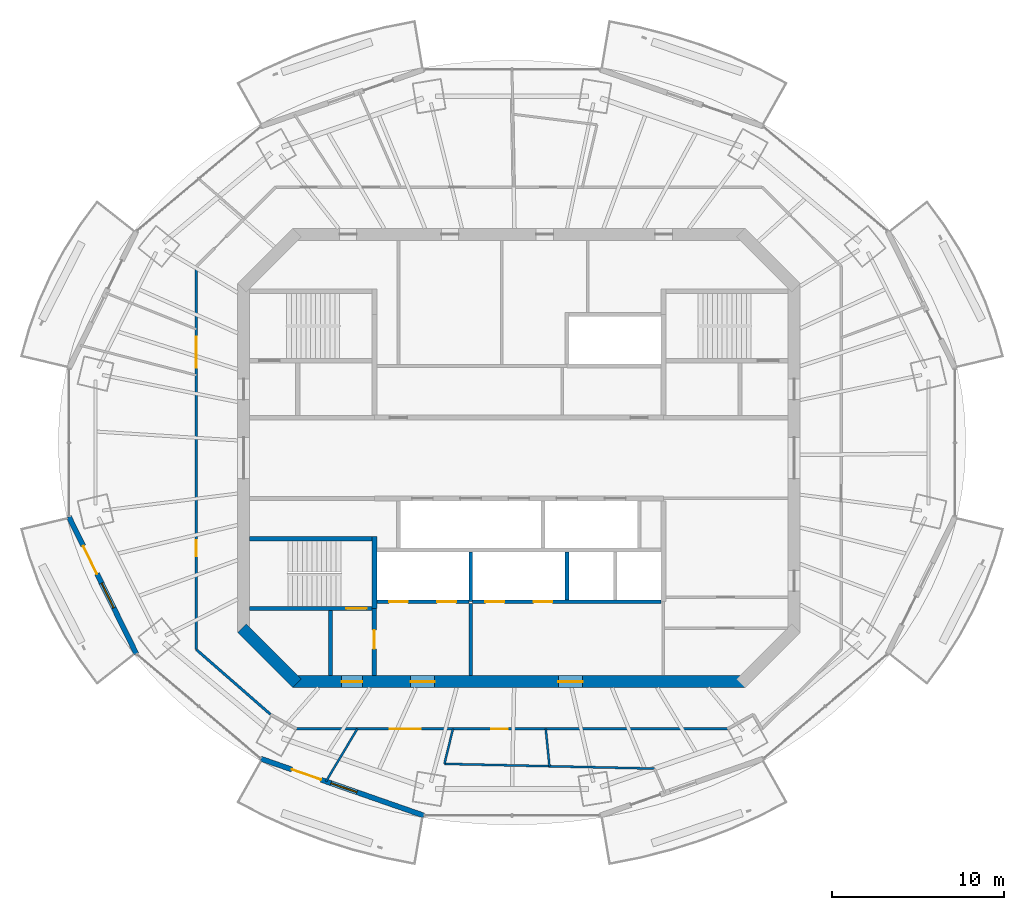
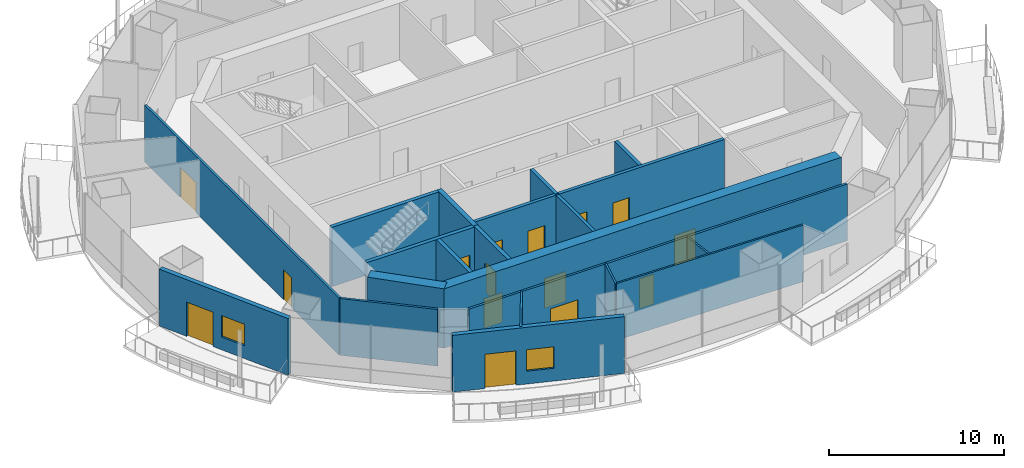
# One storey, part 8 of 16: 21 walls, 15 doors, 2 windows, 17 openings.
"""IFC4 building model written with IfcOpenShell, lengths in metres."""

from ifc_helpers import new_model, si_unit, direction, frame, frame_2d, origin, place, context, subcontext, project, spatial, rectangle, extrude, material, layer, layer_set, type_object, element, fill, save


model = new_model("IFC4")

# Units and contexts
model_context = context("Model", 3, precision=1e-05, world=origin(), true_north=direction((0.0, 1.0)))
body_context = subcontext(model_context, "Body", "Model", "MODEL_VIEW")
ifc_project = project(units=[si_unit("LENGTHUNIT", "METRE"), si_unit("AREAUNIT", "SQUARE_METRE"), si_unit("VOLUMEUNIT", "CUBIC_METRE"), si_unit("PLANEANGLEUNIT", "RADIAN"), si_unit("MASSUNIT", "GRAM", prefix="KILO")], contexts=[model_context])

# Site, building, storey
site_placement = place(None, origin())
site = spatial("IfcSite", under=ifc_project, at=site_placement, CompositionType="ELEMENT")
building_placement = place(site_placement, origin())
building = spatial("IfcBuilding", under=site, at=building_placement, Name="Marenthal Gate Tower", CompositionType="ELEMENT")
storey_placement = place(building_placement, frame((0.0, 0.0, 367.5)))
storey = spatial("IfcBuildingStorey", under=building, at=storey_placement, Name="L83", CompositionType="ELEMENT", Elevation=367.5)

# Wall
ifc_material_1 = material(Name="Concrete 60 MPa", Category="concrete")
ifc_layer_1 = layer(ifc_material_1, 0.699951171875)
ifc_layer_set_1 = layer_set([ifc_layer_1], Name="Core shear wall 700")
wall_type_1 = type_object("IfcWallType", Name="Core shear wall 700", PredefinedType="SHEAR", material=ifc_layer_set_1)
wall_1_placement = place(storey_placement, frame((-16.1025390625, -9.8974609375, -0.179931640625), z_axis=(0.0, 0.0, 1.0), x_axis=(0.707106781187, -0.707106781187, 0.0)))
element("IfcWall", 1, at=wall_1_placement, inside=storey, type_object=wall_type_1, Name="Core wall 07", PredefinedType="SHEAR", context=body_context, shape_type="SweptSolid", body=[
    extrude(rectangle(XDim=4.53271484375, YDim=0.699951171875, at=frame_2d((2.266357421875, 0.0))), origin(), (0.0, 0.0, 1.0), 4.14990234375),
])

# Wall, openings, doors
wall_2_placement = place(storey_placement, frame((-13.14501953125, -13.0, -0.179931640625), z_axis=(0.0, 0.0, 1.0), x_axis=(1.0, 0.0, 0.0)))
wall_2 = element("IfcWall", 2, at=wall_2_placement, inside=storey, type_object=wall_type_1, Name="Core wall 08", PredefinedType="SHEAR", context=body_context, shape_type="SweptSolid", body=[
    extrude(rectangle(XDim=26.2900390625, YDim=0.699951171875, at=frame_2d((13.14501953125, 0.0))), origin(), (0.0, 0.0, 1.0), 4.14990234375),
])
opening_1_placement = place(wall_2_placement, frame((2.844970703125, 0.0, 0.179931640625)))
opening_1 = element("IfcOpeningElement", 3, at=opening_1_placement, cuts=wall_2, Name="Opening D001.06", PredefinedType="OPENING", context=body_context, shape_type="SweptSolid", body=[
    extrude(rectangle(XDim=1.199951171875, YDim=2.10009765625, at=frame_2d((0.60009765625, 1.050048828125))), frame((0.0, 0.35986328125, 0.0), z_axis=(0.0, -1.0, 0.0), x_axis=(1.0, 0.0, 0.0)), (0.0, 0.0, 1.0), 0.719970703125),
])
opening_2_placement = place(wall_2_placement, frame((6.844970703125, 0.0, 0.179931640625)))
opening_2 = element("IfcOpeningElement", 4, at=opening_2_placement, cuts=wall_2, Name="Opening D004.01", PredefinedType="OPENING", context=body_context, shape_type="SweptSolid", body=[
    extrude(rectangle(XDim=1.39990234375, YDim=2.10009765625, at=frame_2d((0.699951171875, 1.050048828125))), frame((0.0, 0.35986328125, 0.0), z_axis=(0.0, -1.0, 0.0), x_axis=(1.0, 0.0, 0.0)), (0.0, 0.0, 1.0), 0.719970703125),
])
opening_3_placement = place(wall_2_placement, frame((15.445068359375, 0.0, 0.179931640625)))
opening_3 = element("IfcOpeningElement", 5, at=opening_3_placement, cuts=wall_2, Name="Opening D004.02", PredefinedType="OPENING", context=body_context, shape_type="SweptSolid", body=[
    extrude(rectangle(XDim=1.39990234375, YDim=2.10009765625, at=frame_2d((0.699951171875, 1.050048828125))), frame((0.0, 0.35986328125, 0.0), z_axis=(0.0, -1.0, 0.0), x_axis=(1.0, 0.0, 0.0)), (0.0, 0.0, 1.0), 0.719970703125),
])
ifc_material_2 = material(Name="Steel fire door", Category="steel")
door_type_1 = type_object("IfcDoorType", Name="Fire door FD 45 1400 x 2100", OperationType="NOTDEFINED", PredefinedType="DOOR", material=ifc_material_2)
door_1_placement = place(opening_2_placement, origin())
door_1 = element("IfcDoor", 6, at=door_1_placement, inside=storey, type_object=door_type_1, Name="Door D004.01", OperationType="SINGLE_SWING_RIGHT", OverallHeight=2.10009765625, OverallWidth=1.39990234375, PredefinedType="DOOR", context=body_context, shape_type="SweptSolid", body=[
    extrude(rectangle(XDim=1.39990234375, YDim=2.10009765625, at=frame_2d((0.699951171875, 1.050048828125))), frame((0.0, 0.02490234375, 0.0), z_axis=(0.0, -1.0, 0.0), x_axis=(1.0, 0.0, 0.0)), (0.0, 0.0, 1.0), 0.050048828125),
])
fill(opening_2, door_1)
door_2_placement = place(opening_3_placement, origin())
door_2 = element("IfcDoor", 7, at=door_2_placement, inside=storey, type_object=door_type_1, Name="Door D004.02", OperationType="SINGLE_SWING_RIGHT", OverallHeight=2.10009765625, OverallWidth=1.39990234375, PredefinedType="DOOR", context=body_context, shape_type="SweptSolid", body=[
    extrude(rectangle(XDim=1.39990234375, YDim=2.10009765625, at=frame_2d((0.699951171875, 1.050048828125))), frame((0.0, 0.02490234375, 0.0), z_axis=(0.0, -1.0, 0.0), x_axis=(1.0, 0.0, 0.0)), (0.0, 0.0, 1.0), 0.050048828125),
])
fill(opening_3, door_2)
ifc_material_3 = material(Name="Steel fire door", Category="steel")
door_type_2 = type_object("IfcDoorType", Name="Fire door FD 90 1200 x 2100", OperationType="NOTDEFINED", PredefinedType="DOOR", material=ifc_material_3)
door_3_placement = place(opening_1_placement, origin())
door_3 = element("IfcDoor", 8, at=door_3_placement, inside=storey, type_object=door_type_2, Name="Door D001.06", OperationType="SINGLE_SWING_RIGHT", OverallHeight=2.10009765625, OverallWidth=1.199951171875, PredefinedType="DOOR", context=body_context, shape_type="SweptSolid", body=[
    extrude(rectangle(XDim=1.199951171875, YDim=2.10009765625, at=frame_2d((0.60009765625, 1.050048828125))), frame((0.0, 0.02490234375, 0.0), z_axis=(0.0, -1.0, 0.0), x_axis=(1.0, 0.0, 0.0)), (0.0, 0.0, 1.0), 0.050048828125),
])
fill(opening_1, door_3)

# Walls
ifc_material_4 = material(Name="Gypsum board on steel studs", Category="steel")
ifc_layer_2 = layer(ifc_material_4, 0.199951171875)
ifc_layer_set_2 = layer_set([ifc_layer_2], Name="Fire lobby wall 200")
wall_type_2 = type_object("IfcWallType", Name="Fire lobby wall 200", PredefinedType="PARTITIONING", material=ifc_layer_set_2)
wall_3_placement = place(storey_placement, frame((-2.800048828125, -12.64990234375, 0.0), z_axis=(0.0, 0.0, 1.0), x_axis=(0.0, 1.0, 0.0)))
element("IfcWall", 9, at=wall_3_placement, inside=storey, type_object=wall_type_2, Name="Fire wall 37", PredefinedType="PARTITIONING", context=body_context, shape_type="SweptSolid", body=[
    extrude(rectangle(XDim=4.18994140625, YDim=0.199951171875, at=frame_2d((2.094970703125, 0.0))), origin(), (0.0, 0.0, 1.0), 3.969970703125),
])
ifc_material_5 = material(Name="Concrete 50 MPa", Category="concrete")
ifc_layer_3 = layer(ifc_material_5, 0.300048828125)
ifc_layer_set_3 = layer_set([ifc_layer_3], Name="Hoistway shear wall 300")
wall_type_3 = type_object("IfcWallType", Name="Hoistway shear wall 300", PredefinedType="SHEAR", material=ifc_layer_set_3)
wall_4_placement = place(storey_placement, frame((-8.39990234375, -8.75, -0.179931640625), z_axis=(0.0, 0.0, 1.0), x_axis=(0.0, 1.0, 0.0)))
element("IfcWall", 10, at=wall_4_placement, inside=storey, type_object=wall_type_3, Name="Hoistway wall 32", PredefinedType="SHEAR", context=body_context, shape_type="SweptSolid", body=[
    extrude(rectangle(XDim=4.175048828125, YDim=0.300048828125, at=frame_2d((2.08740234375, 0.0))), origin(), (0.0, 0.0, 1.0), 4.14990234375),
])

# Wall, openings, doors
ifc_material_6 = material(Name="Concrete 40 MPa", Category="concrete")
ifc_layer_4 = layer(ifc_material_6, 0.219970703125)
ifc_layer_set_4 = layer_set([ifc_layer_4], Name="Hoistway wall 220")
wall_type_4 = type_object("IfcWallType", Name="Hoistway wall 220", PredefinedType="STANDARD", material=ifc_layer_set_4)
wall_5_placement = place(storey_placement, frame((-8.25, -8.35009765625, 0.0), z_axis=(0.0, 0.0, 1.0), x_axis=(1.0, 0.0, 0.0)))
wall_5 = element("IfcWall", 11, at=wall_5_placement, inside=storey, type_object=wall_type_4, Name="Hoistway wall 11", PredefinedType="STANDARD", context=body_context, shape_type="SweptSolid", body=[
    extrude(rectangle(XDim=5.340087890625, YDim=0.219970703125, at=frame_2d((2.669921875, 0.0))), origin(), (0.0, 0.0, 1.0), 3.969970703125),
])
opening_4_placement = place(wall_5_placement, frame((0.699951171875, 0.0, 0.0)))
opening_4 = element("IfcOpeningElement", 12, at=opening_4_placement, cuts=wall_5, Name="Opening LD-LF1", PredefinedType="OPENING", context=body_context, shape_type="SweptSolid", body=[
    extrude(rectangle(XDim=1.10009765625, YDim=2.10009765625, at=frame_2d((0.550048828125, 1.050048828125))), frame((0.0, 0.1201171875, 0.0), z_axis=(0.0, -1.0, 0.0), x_axis=(1.0, 0.0, 0.0)), (0.0, 0.0, 1.0), 0.239990234375),
])
opening_5_placement = place(wall_5_placement, frame((3.5, 0.0, 0.0)))
opening_5 = element("IfcOpeningElement", 13, at=opening_5_placement, cuts=wall_5, Name="Opening LD-LF2", PredefinedType="OPENING", context=body_context, shape_type="SweptSolid", body=[
    extrude(rectangle(XDim=1.10009765625, YDim=2.10009765625, at=frame_2d((0.550048828125, 1.050048828125))), frame((0.0, 0.1201171875, 0.0), z_axis=(0.0, -1.0, 0.0), x_axis=(1.0, 0.0, 0.0)), (0.0, 0.0, 1.0), 0.239990234375),
])
ifc_material_7 = material(Name="Stainless steel sliding door", Category="steel")
door_type_3 = type_object("IfcDoorType", Name="Lift landing door FD 90 1100 x 2100", OperationType="DOUBLE_DOOR_SLIDING", PredefinedType="DOOR", material=ifc_material_7)
door_4_placement = place(opening_4_placement, origin())
door_4 = element("IfcDoor", 14, at=door_4_placement, inside=storey, type_object=door_type_3, Name="Lift landing door LF1", OperationType="DOUBLE_DOOR_SLIDING", OverallHeight=2.10009765625, OverallWidth=1.10009765625, PredefinedType="DOOR", context=body_context, shape_type="SweptSolid", body=[
    extrude(rectangle(XDim=1.10009765625, YDim=2.10009765625, at=frame_2d((0.550048828125, 1.050048828125))), frame((0.0, 0.02490234375, 0.0), z_axis=(0.0, -1.0, 0.0), x_axis=(1.0, 0.0, 0.0)), (0.0, 0.0, 1.0), 0.050048828125),
])
fill(opening_4, door_4)
door_5_placement = place(opening_5_placement, origin())
door_5 = element("IfcDoor", 15, at=door_5_placement, inside=storey, type_object=door_type_3, Name="Lift landing door LF2", OperationType="DOUBLE_DOOR_SLIDING", OverallHeight=2.10009765625, OverallWidth=1.10009765625, PredefinedType="DOOR", context=body_context, shape_type="SweptSolid", body=[
    extrude(rectangle(XDim=1.10009765625, YDim=2.10009765625, at=frame_2d((0.550048828125, 1.050048828125))), frame((0.0, 0.02490234375, 0.0), z_axis=(0.0, -1.0, 0.0), x_axis=(1.0, 0.0, 0.0)), (0.0, 0.0, 1.0), 0.050048828125),
])
fill(opening_5, door_5)

wall_6_placement = place(storey_placement, frame((-2.68994140625, -8.35009765625, 0.0), z_axis=(0.0, 0.0, 1.0), x_axis=(1.0, 0.0, 0.0)))
wall_6 = element("IfcWall", 16, at=wall_6_placement, inside=storey, type_object=wall_type_4, Name="Hoistway wall 12", PredefinedType="STANDARD", context=body_context, shape_type="SweptSolid", body=[
    extrude(rectangle(XDim=10.93994140625, YDim=0.219970703125, at=frame_2d((5.469970703125, 0.0))), origin(), (0.0, 0.0, 1.0), 3.969970703125),
])
opening_6_placement = place(wall_6_placement, frame((0.739990234375, 0.0, 0.0)))
opening_6 = element("IfcOpeningElement", 17, at=opening_6_placement, cuts=wall_6, Name="Opening LD-SV1", PredefinedType="OPENING", context=body_context, shape_type="SweptSolid", body=[
    extrude(rectangle(XDim=1.10009765625, YDim=2.10009765625, at=frame_2d((0.550048828125, 1.050048828125))), frame((0.0, 0.1201171875, 0.0), z_axis=(0.0, -1.0, 0.0), x_axis=(1.0, 0.0, 0.0)), (0.0, 0.0, 1.0), 0.239990234375),
])
opening_7_placement = place(wall_6_placement, frame((3.5400390625, 0.0, 0.0)))
opening_7 = element("IfcOpeningElement", 18, at=opening_7_placement, cuts=wall_6, Name="Opening LD-SV2", PredefinedType="OPENING", context=body_context, shape_type="SweptSolid", body=[
    extrude(rectangle(XDim=1.10009765625, YDim=2.10009765625, at=frame_2d((0.550048828125, 1.050048828125))), frame((0.0, 0.1201171875, 0.0), z_axis=(0.0, -1.0, 0.0), x_axis=(1.0, 0.0, 0.0)), (0.0, 0.0, 1.0), 0.239990234375),
])
door_6_placement = place(opening_6_placement, origin())
door_6 = element("IfcDoor", 19, at=door_6_placement, inside=storey, type_object=door_type_3, Name="Lift landing door SV1", OperationType="DOUBLE_DOOR_SLIDING", OverallHeight=2.10009765625, OverallWidth=1.10009765625, PredefinedType="DOOR", context=body_context, shape_type="SweptSolid", body=[
    extrude(rectangle(XDim=1.10009765625, YDim=2.10009765625, at=frame_2d((0.550048828125, 1.050048828125))), frame((0.0, 0.02490234375, 0.0), z_axis=(0.0, -1.0, 0.0), x_axis=(1.0, 0.0, 0.0)), (0.0, 0.0, 1.0), 0.050048828125),
])
fill(opening_6, door_6)
door_7_placement = place(opening_7_placement, origin())
door_7 = element("IfcDoor", 20, at=door_7_placement, inside=storey, type_object=door_type_3, Name="Lift landing door SV2", OperationType="DOUBLE_DOOR_SLIDING", OverallHeight=2.10009765625, OverallWidth=1.10009765625, PredefinedType="DOOR", context=body_context, shape_type="SweptSolid", body=[
    extrude(rectangle(XDim=1.10009765625, YDim=2.10009765625, at=frame_2d((0.550048828125, 1.050048828125))), frame((0.0, 0.02490234375, 0.0), z_axis=(0.0, -1.0, 0.0), x_axis=(1.0, 0.0, 0.0)), (0.0, 0.0, 1.0), 0.050048828125),
])
fill(opening_7, door_7)

# Walls
wall_7_placement = place(storey_placement, frame((-2.800048828125, -8.35009765625, 0.0), z_axis=(0.0, 0.0, 1.0), x_axis=(0.0, 1.0, 0.0)))
element("IfcWall", 21, at=wall_7_placement, inside=storey, type_object=wall_type_4, Name="Hoistway wall 38", PredefinedType="STANDARD", context=body_context, shape_type="SweptSolid", body=[
    extrude(rectangle(XDim=2.89013671875, YDim=0.219970703125, at=frame_2d((1.445068359375, 0.0))), origin(), (0.0, 0.0, 1.0), 3.969970703125),
])
wall_8_placement = place(storey_placement, frame((2.800048828125, -8.239990234375, 0.0), z_axis=(0.0, 0.0, 1.0), x_axis=(0.0, 1.0, 0.0)))
element("IfcWall", 22, at=wall_8_placement, inside=storey, type_object=wall_type_4, Name="Hoistway wall 42", PredefinedType="STANDARD", context=body_context, shape_type="SweptSolid", body=[
    extrude(rectangle(XDim=2.780029296875, YDim=0.219970703125, at=frame_2d((1.39013671875, 0.0))), origin(), (0.0, 0.0, 1.0), 3.969970703125),
])
ifc_material_8 = material(Name="Gypsum board on steel studs", Category="steel")
ifc_layer_5 = layer(ifc_material_8, 0.1201171875)
ifc_layer_set_5 = layer_set([ifc_layer_5], Name="Partition 120")
wall_type_5 = type_object("IfcWallType", Name="Partition 120", PredefinedType="PARTITIONING", material=ifc_layer_set_5)
wall_9_placement = place(storey_placement, frame((-9.39501953125, -15.75, 0.0), z_axis=(0.0, 0.0, 1.0), x_axis=(-0.512250738002, -0.858835945578, 0.0)))
element("IfcWall", 23, at=wall_9_placement, inside=storey, type_object=wall_type_5, Name="Partition wall 61", PredefinedType="PARTITIONING", context=body_context, shape_type="SweptSolid", body=[
    extrude(rectangle(XDim=3.552978515625, YDim=0.1201171875, at=frame_2d((1.7763671875, 0.0))), origin(), (0.0, 0.0, 1.0), 3.969970703125),
])
wall_10_placement = place(storey_placement, frame((-4.32861328125, -17.78125, 0.0), z_axis=(0.0, 0.0, 1.0), x_axis=(0.999747193502, -0.02248441871, 0.0)))
element("IfcWall", 24, at=wall_10_placement, inside=storey, type_object=wall_type_5, Name="Partition wall 63", PredefinedType="PARTITIONING", context=body_context, shape_type="SweptSolid", body=[
    extrude(rectangle(XDim=12.215576171875, YDim=0.1201171875, at=frame_2d((6.10791015625, 0.0))), origin(), (0.0, 0.0, 1.0), 3.969970703125),
])
wall_11_placement = place(storey_placement, frame((-4.32861328125, -17.78125, 0.0), z_axis=(0.0, 0.0, 1.0), x_axis=(0.236595923388, 0.971608135534, 0.0)))
element("IfcWall", 25, at=wall_11_placement, inside=storey, type_object=wall_type_5, Name="Partition wall 64", PredefinedType="PARTITIONING", context=body_context, shape_type="SweptSolid", body=[
    extrude(rectangle(XDim=2.090576171875, YDim=0.1201171875, at=frame_2d((1.04541015625, 0.0))), origin(), (0.0, 0.0, 1.0), 3.969970703125),
])
wall_12_placement = place(storey_placement, frame((1.777587890625, -17.918701171875, 0.0), z_axis=(0.0, 0.0, 1.0), x_axis=(-0.098694000634, 0.995117829324, 0.0)))
element("IfcWall", 26, at=wall_12_placement, inside=storey, type_object=wall_type_5, Name="Partition wall 66", PredefinedType="PARTITIONING", context=body_context, shape_type="SweptSolid", body=[
    extrude(rectangle(XDim=2.179443359375, YDim=0.1201171875, at=frame_2d((1.08984375, 0.0))), origin(), (0.0, 0.0, 1.0), 3.969970703125),
])

# Wall, openings, doors
ifc_material_9 = material(Name="Gypsum board on steel studs", Category="steel")
ifc_layer_6 = layer(ifc_material_9, 0.14990234375)
ifc_layer_set_6 = layer_set([ifc_layer_6], Name="Partition 150")
wall_type_6 = type_object("IfcWallType", Name="Partition 150", PredefinedType="PARTITIONING", material=ifc_layer_set_6)
wall_13_placement = place(storey_placement, frame((-18.75, -11.13916015625, 0.0), z_axis=(0.0, 0.0, 1.0), x_axis=(0.0, 1.0, 0.0)))
wall_13 = element("IfcWall", 27, at=wall_13_placement, inside=storey, type_object=wall_type_6, Name="Partition wall 52", PredefinedType="PARTITIONING", context=body_context, shape_type="SweptSolid", body=[
    extrude(rectangle(XDim=22.2783203125, YDim=0.14990234375, at=frame_2d((11.13916015625, 0.0))), origin(), (0.0, 0.0, 1.0), 3.969970703125),
])
opening_8_placement = place(wall_13_placement, frame((16.39501953125, 0.0, 0.0)))
opening_8 = element("IfcOpeningElement", 28, at=opening_8_placement, cuts=wall_13, Name="Opening D014.02", PredefinedType="OPENING", context=body_context, shape_type="SweptSolid", body=[
    extrude(rectangle(XDim=1.800048828125, YDim=2.10009765625, at=frame_2d((0.89990234375, 1.050048828125))), frame((0.0, 0.0849609375, 0.0), z_axis=(0.0, -1.0, 0.0), x_axis=(1.0, 0.0, 0.0)), (0.0, 0.0, 1.0), 0.169921875),
])
opening_9_placement = place(wall_13_placement, frame((5.4169921875, 0.0, 0.0)))
opening_9 = element("IfcOpeningElement", 29, at=opening_9_placement, cuts=wall_13, Name="Opening D016.06", PredefinedType="OPENING", context=body_context, shape_type="SweptSolid", body=[
    extrude(rectangle(XDim=0.949951171875, YDim=2.10009765625, at=frame_2d((0.47509765625, 1.050048828125))), frame((0.0, 0.0849609375, 0.0), z_axis=(0.0, -1.0, 0.0), x_axis=(1.0, 0.0, 0.0)), (0.0, 0.0, 1.0), 0.169921875),
])
ifc_material_10 = material(Name="Timber door", Category="wood")
door_type_4 = type_object("IfcDoorType", Name="Door 950 x 2100", OperationType="NOTDEFINED", PredefinedType="DOOR", material=ifc_material_10)
door_8_placement = place(opening_9_placement, origin())
door_8 = element("IfcDoor", 30, at=door_8_placement, inside=storey, type_object=door_type_4, Name="Door D016.06", OperationType="SINGLE_SWING_RIGHT", OverallHeight=2.10009765625, OverallWidth=0.949951171875, PredefinedType="DOOR", context=body_context, shape_type="SweptSolid", body=[
    extrude(rectangle(XDim=0.949951171875, YDim=2.10009765625, at=frame_2d((0.47509765625, 1.050048828125))), frame((0.0, 0.02490234375, 0.0), z_axis=(0.0, -1.0, 0.0), x_axis=(1.0, 0.0, 0.0)), (0.0, 0.0, 1.0), 0.050048828125),
])
fill(opening_9, door_8)
ifc_material_11 = material(Name="Timber door", Category="wood")
door_type_5 = type_object("IfcDoorType", Name="Double door 1800 x 2100", OperationType="DOUBLE_DOOR_SINGLE_SWING", PredefinedType="DOOR", material=ifc_material_11)
door_9_placement = place(opening_8_placement, origin())
door_9 = element("IfcDoor", 31, at=door_9_placement, inside=storey, type_object=door_type_5, Name="Door D014.02", OperationType="DOUBLE_DOOR_SINGLE_SWING", OverallHeight=2.10009765625, OverallWidth=1.800048828125, PredefinedType="DOOR", context=body_context, shape_type="SweptSolid", body=[
    extrude(rectangle(XDim=1.800048828125, YDim=2.10009765625, at=frame_2d((0.89990234375, 1.050048828125))), frame((0.0, 0.02490234375, 0.0), z_axis=(0.0, -1.0, 0.0), x_axis=(1.0, 0.0, 0.0)), (0.0, 0.0, 1.0), 0.050048828125),
])
fill(opening_8, door_9)

# Wall
wall_14_placement = place(storey_placement, frame((-14.439453125, -14.9033203125, 0.0), z_axis=(0.0, 0.0, 1.0), x_axis=(-0.753231723651, 0.657755251204, 0.0)))
element("IfcWall", 32, at=wall_14_placement, inside=storey, type_object=wall_type_6, Name="Partition wall 57", PredefinedType="PARTITIONING", context=body_context, shape_type="SweptSolid", body=[
    extrude(rectangle(XDim=5.72265625, YDim=0.14990234375, at=frame_2d((2.861328125, 0.0))), origin(), (0.0, 0.0, 1.0), 3.969970703125),
])

# Wall, openings, doors
wall_15_placement = place(storey_placement, frame((12.115966796875, -15.75, 0.0), z_axis=(0.0, 0.0, 1.0), x_axis=(-1.0, 0.0, 0.0)))
wall_15 = element("IfcWall", 33, at=wall_15_placement, inside=storey, type_object=wall_type_6, Name="Partition wall 70", PredefinedType="PARTITIONING", context=body_context, shape_type="SweptSolid", body=[
    extrude(rectangle(XDim=25.031982421875, YDim=0.14990234375, at=frame_2d((12.51611328125, 0.0))), origin(), (0.0, 0.0, 1.0), 3.969970703125),
])
opening_10_placement = place(wall_15_placement, frame((12.77587890625, 0.0, 0.0)))
opening_10 = element("IfcOpeningElement", 34, at=opening_10_placement, cuts=wall_15, Name="Opening D016.07", PredefinedType="OPENING", context=body_context, shape_type="SweptSolid", body=[
    extrude(rectangle(XDim=0.949951171875, YDim=2.10009765625, at=frame_2d((0.47509765625, 1.050048828125))), frame((0.0, 0.0849609375, 0.0), z_axis=(0.0, -1.0, 0.0), x_axis=(1.0, 0.0, 0.0)), (0.0, 0.0, 1.0), 0.169921875),
])
opening_11_placement = place(wall_15_placement, frame((17.8310546875, 0.0, 0.0)))
opening_11 = element("IfcOpeningElement", 35, at=opening_11_placement, cuts=wall_15, Name="Opening D014.03", PredefinedType="OPENING", context=body_context, shape_type="SweptSolid", body=[
    extrude(rectangle(XDim=1.800048828125, YDim=2.10009765625, at=frame_2d((0.89990234375, 1.050048828125))), frame((0.0, 0.0849609375, 0.0), z_axis=(0.0, -1.0, 0.0), x_axis=(1.0, 0.0, 0.0)), (0.0, 0.0, 1.0), 0.169921875),
])
door_10_placement = place(opening_10_placement, origin())
door_10 = element("IfcDoor", 36, at=door_10_placement, inside=storey, type_object=door_type_4, Name="Door D016.07", OperationType="SINGLE_SWING_RIGHT", OverallHeight=2.10009765625, OverallWidth=0.949951171875, PredefinedType="DOOR", context=body_context, shape_type="SweptSolid", body=[
    extrude(rectangle(XDim=0.949951171875, YDim=2.10009765625, at=frame_2d((0.47509765625, 1.050048828125))), frame((0.0, 0.02490234375, 0.0), z_axis=(0.0, -1.0, 0.0), x_axis=(1.0, 0.0, 0.0)), (0.0, 0.0, 1.0), 0.050048828125),
])
fill(opening_10, door_10)
door_11_placement = place(opening_11_placement, origin())
door_11 = element("IfcDoor", 37, at=door_11_placement, inside=storey, type_object=door_type_5, Name="Door D014.03", OperationType="DOUBLE_DOOR_SINGLE_SWING", OverallHeight=2.10009765625, OverallWidth=1.800048828125, PredefinedType="DOOR", context=body_context, shape_type="SweptSolid", body=[
    extrude(rectangle(XDim=1.800048828125, YDim=2.10009765625, at=frame_2d((0.89990234375, 1.050048828125))), frame((0.0, 0.02490234375, 0.0), z_axis=(0.0, -1.0, 0.0), x_axis=(1.0, 0.0, 0.0)), (0.0, 0.0, 1.0), 0.050048828125),
])
fill(opening_11, door_11)

# Wall
ifc_material_12 = material(Name="Concrete 40 MPa", Category="concrete")
ifc_layer_7 = layer(ifc_material_12, 0.25)
ifc_layer_set_7 = layer_set([ifc_layer_7], Name="Stair enclosure wall 250")
wall_type_7 = type_object("IfcWallType", Name="Stair enclosure wall 250", PredefinedType="STANDARD", material=ifc_layer_set_7)
wall_16_placement = place(storey_placement, frame((-10.949951171875, -12.64990234375, 0.0), z_axis=(0.0, 0.0, 1.0), x_axis=(0.0, 1.0, 0.0)))
element("IfcWall", 38, at=wall_16_placement, inside=storey, type_object=wall_type_7, Name="Stair wall 30", PredefinedType="STANDARD", context=body_context, shape_type="SweptSolid", body=[
    extrude(rectangle(XDim=3.77490234375, YDim=0.25, at=frame_2d((1.887451171875, 0.0))), origin(), (0.0, 0.0, 1.0), 3.969970703125),
])

# Wall, opening, door
wall_17_placement = place(storey_placement, frame((-8.39990234375, -12.64990234375, 0.0), z_axis=(0.0, 0.0, 1.0), x_axis=(0.0, 1.0, 0.0)))
wall_17 = element("IfcWall", 39, at=wall_17_placement, inside=storey, type_object=wall_type_7, Name="Stair wall 31", PredefinedType="STANDARD", context=body_context, shape_type="SweptSolid", body=[
    extrude(rectangle(XDim=3.89990234375, YDim=0.25, at=frame_2d((1.949951171875, 0.0))), origin(), (0.0, 0.0, 1.0), 3.969970703125),
])
opening_12_placement = place(wall_17_placement, frame((1.550048828125, 0.0, 0.0)))
opening_12 = element("IfcOpeningElement", 40, at=opening_12_placement, cuts=wall_17, Name="Opening D002.01", PredefinedType="OPENING", context=body_context, shape_type="SweptSolid", body=[
    extrude(rectangle(XDim=1.10009765625, YDim=2.10009765625, at=frame_2d((0.550048828125, 1.050048828125))), frame((0.0, 0.135009765625, 0.0), z_axis=(0.0, -1.0, 0.0), x_axis=(1.0, 0.0, 0.0)), (0.0, 0.0, 1.0), 0.27001953125),
])
ifc_material_13 = material(Name="Steel fire door", Category="steel")
door_type_6 = type_object("IfcDoorType", Name="Fire door FD 90 1100 x 2100", OperationType="NOTDEFINED", PredefinedType="DOOR", material=ifc_material_13)
door_12_placement = place(opening_12_placement, origin())
door_12 = element("IfcDoor", 41, at=door_12_placement, inside=storey, type_object=door_type_6, Name="Door D002.01", OperationType="SINGLE_SWING_RIGHT", OverallHeight=2.10009765625, OverallWidth=1.10009765625, PredefinedType="DOOR", context=body_context, shape_type="SweptSolid", body=[
    extrude(rectangle(XDim=1.10009765625, YDim=2.10009765625, at=frame_2d((0.550048828125, 1.050048828125))), frame((0.0, 0.02490234375, 0.0), z_axis=(0.0, -1.0, 0.0), x_axis=(1.0, 0.0, 0.0)), (0.0, 0.0, 1.0), 0.050048828125),
])
fill(opening_12, door_12)

ifc_material_14 = material(Name="Concrete 50 MPa", Category="concrete")
ifc_layer_8 = layer(ifc_material_14, 0.25)
ifc_layer_set_8 = layer_set([ifc_layer_8], Name="Stair shear wall 250")
wall_type_8 = type_object("IfcWallType", Name="Stair shear wall 250", PredefinedType="SHEAR", material=ifc_layer_set_8)
wall_18_placement = place(storey_placement, frame((-15.64990234375, -8.75, -0.179931640625), z_axis=(0.0, 0.0, 1.0), x_axis=(1.0, 0.0, 0.0)))
wall_18 = element("IfcWall", 42, at=wall_18_placement, inside=storey, type_object=wall_type_8, Name="Stair wall 10", PredefinedType="SHEAR", context=body_context, shape_type="SweptSolid", body=[
    extrude(rectangle(XDim=7.099853515625, YDim=0.25, at=frame_2d((3.5498046875, 0.0))), origin(), (0.0, 0.0, 1.0), 4.14990234375),
])
opening_13_placement = place(wall_18_placement, frame((5.60009765625, 0.0, 0.179931640625)))
opening_13 = element("IfcOpeningElement", 43, at=opening_13_placement, cuts=wall_18, Name="Opening D001.03", PredefinedType="OPENING", context=body_context, shape_type="SweptSolid", body=[
    extrude(rectangle(XDim=1.199951171875, YDim=2.10009765625, at=frame_2d((0.60009765625, 1.050048828125))), frame((0.0, 0.135009765625, 0.0), z_axis=(0.0, -1.0, 0.0), x_axis=(1.0, 0.0, 0.0)), (0.0, 0.0, 1.0), 0.27001953125),
])
door_13_placement = place(opening_13_placement, origin())
door_13 = element("IfcDoor", 44, at=door_13_placement, inside=storey, type_object=door_type_2, Name="Door D001.03", OperationType="SINGLE_SWING_RIGHT", OverallHeight=2.10009765625, OverallWidth=1.199951171875, PredefinedType="DOOR", context=body_context, shape_type="SweptSolid", body=[
    extrude(rectangle(XDim=1.199951171875, YDim=2.10009765625, at=frame_2d((0.60009765625, 1.050048828125))), frame((0.0, 0.02490234375, 0.0), z_axis=(0.0, -1.0, 0.0), x_axis=(1.0, 0.0, 0.0)), (0.0, 0.0, 1.0), 0.050048828125),
])
fill(opening_13, door_13)

# Wall
wall_19_placement = place(storey_placement, frame((-15.64990234375, -4.699951171875, -0.179931640625), z_axis=(0.0, 0.0, 1.0), x_axis=(1.0, 0.0, 0.0)))
element("IfcWall", 45, at=wall_19_placement, inside=storey, type_object=wall_type_8, Name="Stair wall 15", PredefinedType="SHEAR", context=body_context, shape_type="SweptSolid", body=[
    extrude(rectangle(XDim=7.099853515625, YDim=0.25, at=frame_2d((3.5498046875, 0.0))), origin(), (0.0, 0.0, 1.0), 4.14990234375),
])

# Wall, openings, door, window
ifc_material_15 = material(Name="Terracotta cladding on insulated concrete-block backing", Category="masonry")
ifc_layer_9 = layer(ifc_material_15, 0.300048828125)
ifc_layer_set_9 = layer_set([ifc_layer_9], Name="Terracotta facade wall 300")
wall_type_9 = type_object("IfcWallType", Name="Terracotta facade wall 300", PredefinedType="SOLIDWALL", material=ifc_layer_set_9)
wall_20_placement = place(storey_placement, frame((-26.160400390625, -3.41357421875, 0.0), z_axis=(0.0, 0.0, 1.0), x_axis=(0.441487983718, -0.897267162128, 0.0)))
wall_20 = element("IfcWall", 46, at=wall_20_placement, inside=storey, type_object=wall_type_9, Name="Terracotta facade wall L83 bay 9", PredefinedType="SOLIDWALL", context=body_context, shape_type="SweptSolid", body=[
    extrude(rectangle(XDim=8.88330078125, YDim=0.300048828125, at=frame_2d((4.441650390625, 0.0))), origin(), (0.0, 0.0, 1.0), 3.969970703125),
])
opening_14_placement = place(wall_20_placement, frame((1.89990234375, 0.0, 0.0)))
opening_14 = element("IfcOpeningElement", 47, at=opening_14_placement, cuts=wall_20, Name="Opening BD-L83-09", PredefinedType="OPENING", context=body_context, shape_type="SweptSolid", body=[
    extrude(rectangle(XDim=1.800048828125, YDim=2.39990234375, at=frame_2d((0.89990234375, 1.199951171875))), frame((0.0, 0.16015625, 0.0), z_axis=(0.0, -1.0, 0.0), x_axis=(1.0, 0.0, 0.0)), (0.0, 0.0, 1.0), 0.320068359375),
])
opening_15_placement = place(wall_20_placement, frame((4.300048828125, 0.0, 0.89990234375)))
opening_15 = element("IfcOpeningElement", 48, at=opening_15_placement, cuts=wall_20, Name="Opening WN3-L83-09", PredefinedType="OPENING", context=body_context, shape_type="SweptSolid", body=[
    extrude(rectangle(XDim=1.60009765625, YDim=1.5, at=frame_2d((0.800048828125, 0.75))), frame((0.0, 0.16015625, 0.0), z_axis=(0.0, -1.0, 0.0), x_axis=(1.0, 0.0, 0.0)), (0.0, 0.0, 1.0), 0.320068359375),
])
ifc_material_16 = material(Name="Aluminium and glass", Category="aluminium")
door_type_7 = type_object("IfcDoorType", Name="Balcony door 1800x2400", OperationType="DOUBLE_DOOR_SINGLE_SWING", PredefinedType="DOOR", material=ifc_material_16)
door_14_placement = place(opening_14_placement, origin())
door_14 = element("IfcDoor", 49, at=door_14_placement, inside=storey, type_object=door_type_7, Name="Balcony door L83 bay 9", OperationType="SINGLE_SWING_LEFT", OverallHeight=2.39990234375, OverallWidth=1.800048828125, PredefinedType="DOOR", context=body_context, shape_type="SweptSolid", body=[
    extrude(rectangle(XDim=1.800048828125, YDim=2.39990234375, at=frame_2d((0.89990234375, 1.199951171875))), frame((0.0, 0.02490234375, 0.0), z_axis=(0.0, -1.0, 0.0), x_axis=(1.0, 0.0, 0.0)), (0.0, 0.0, 1.0), 0.050048828125),
])
fill(opening_14, door_14)
ifc_material_17 = material(Name="Aluminium and glass", Category="aluminium")
window_type = type_object("IfcWindowType", Name="Window 1600x1500", PartitioningType="DOUBLE_PANEL_VERTICAL", PredefinedType="WINDOW", material=ifc_material_17)
window_1_placement = place(opening_15_placement, origin())
window_1 = element("IfcWindow", 50, at=window_1_placement, inside=storey, type_object=window_type, Name="Window L83 bay 9", OverallHeight=1.5, OverallWidth=1.60009765625, PartitioningType="SINGLE_PANEL", PredefinedType="WINDOW", context=body_context, shape_type="SweptSolid", body=[
    extrude(rectangle(XDim=1.60009765625, YDim=1.5, at=frame_2d((0.800048828125, 0.75))), frame((0.0, 0.030029296875, 0.0), z_axis=(0.0, -1.0, 0.0), x_axis=(1.0, 0.0, 0.0)), (0.0, 0.0, 1.0), 0.06005859375),
])
fill(opening_15, window_1)

wall_21_placement = place(storey_placement, frame((-14.9921875, -17.484619140625, 0.0), z_axis=(0.0, 0.0, 1.0), x_axis=(0.944242611416, -0.329250498535, 0.0)))
wall_21 = element("IfcWall", 51, at=wall_21_placement, inside=storey, type_object=wall_type_9, Name="Terracotta facade wall L83 bay 11", PredefinedType="SOLIDWALL", context=body_context, shape_type="SweptSolid", body=[
    extrude(rectangle(XDim=10.02734375, YDim=0.300048828125, at=frame_2d((5.013671875, 0.0))), origin(), (0.0, 0.0, 1.0), 3.969970703125),
])
opening_16_placement = place(wall_21_placement, frame((1.89990234375, 0.0, 0.0)))
opening_16 = element("IfcOpeningElement", 52, at=opening_16_placement, cuts=wall_21, Name="Opening BD-L83-11", PredefinedType="OPENING", context=body_context, shape_type="SweptSolid", body=[
    extrude(rectangle(XDim=1.800048828125, YDim=2.39990234375, at=frame_2d((0.89990234375, 1.199951171875))), frame((0.0, 0.16015625, 0.0), z_axis=(0.0, -1.0, 0.0), x_axis=(1.0, 0.0, 0.0)), (0.0, 0.0, 1.0), 0.320068359375),
])
opening_17_placement = place(wall_21_placement, frame((4.300048828125, 0.0, 0.89990234375)))
opening_17 = element("IfcOpeningElement", 53, at=opening_17_placement, cuts=wall_21, Name="Opening WN3-L83-11", PredefinedType="OPENING", context=body_context, shape_type="SweptSolid", body=[
    extrude(rectangle(XDim=1.60009765625, YDim=1.5, at=frame_2d((0.800048828125, 0.75))), frame((0.0, 0.16015625, 0.0), z_axis=(0.0, -1.0, 0.0), x_axis=(1.0, 0.0, 0.0)), (0.0, 0.0, 1.0), 0.320068359375),
])
door_15_placement = place(opening_16_placement, origin())
door_15 = element("IfcDoor", 54, at=door_15_placement, inside=storey, type_object=door_type_7, Name="Balcony door L83 bay 11", OperationType="SINGLE_SWING_LEFT", OverallHeight=2.39990234375, OverallWidth=1.800048828125, PredefinedType="DOOR", context=body_context, shape_type="SweptSolid", body=[
    extrude(rectangle(XDim=1.800048828125, YDim=2.39990234375, at=frame_2d((0.89990234375, 1.199951171875))), frame((0.0, 0.02490234375, 0.0), z_axis=(0.0, -1.0, 0.0), x_axis=(1.0, 0.0, 0.0)), (0.0, 0.0, 1.0), 0.050048828125),
])
fill(opening_16, door_15)
window_2_placement = place(opening_17_placement, origin())
window_2 = element("IfcWindow", 55, at=window_2_placement, inside=storey, type_object=window_type, Name="Window L83 bay 11", OverallHeight=1.5, OverallWidth=1.60009765625, PartitioningType="SINGLE_PANEL", PredefinedType="WINDOW", context=body_context, shape_type="SweptSolid", body=[
    extrude(rectangle(XDim=1.60009765625, YDim=1.5, at=frame_2d((0.800048828125, 0.75))), frame((0.0, 0.030029296875, 0.0), z_axis=(0.0, -1.0, 0.0), x_axis=(1.0, 0.0, 0.0)), (0.0, 0.0, 1.0), 0.06005859375),
])
fill(opening_17, window_2)

save(model, "model.ifc")
